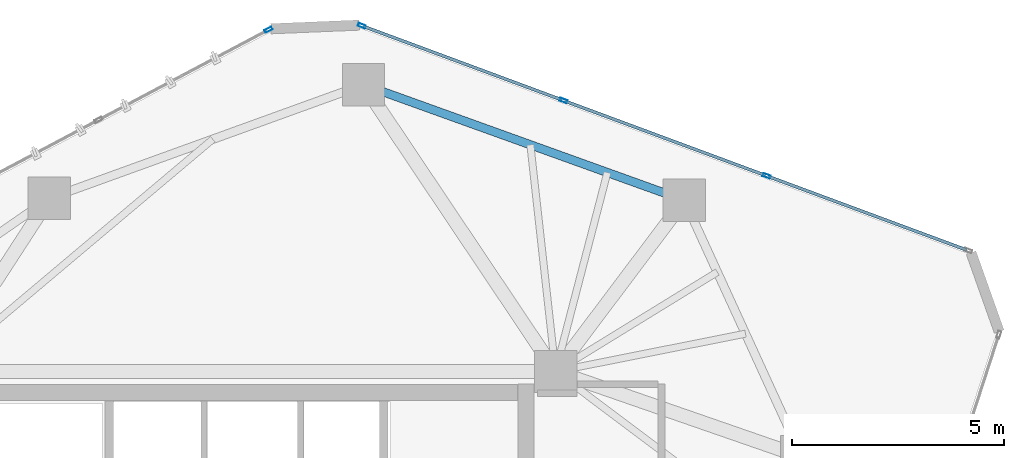
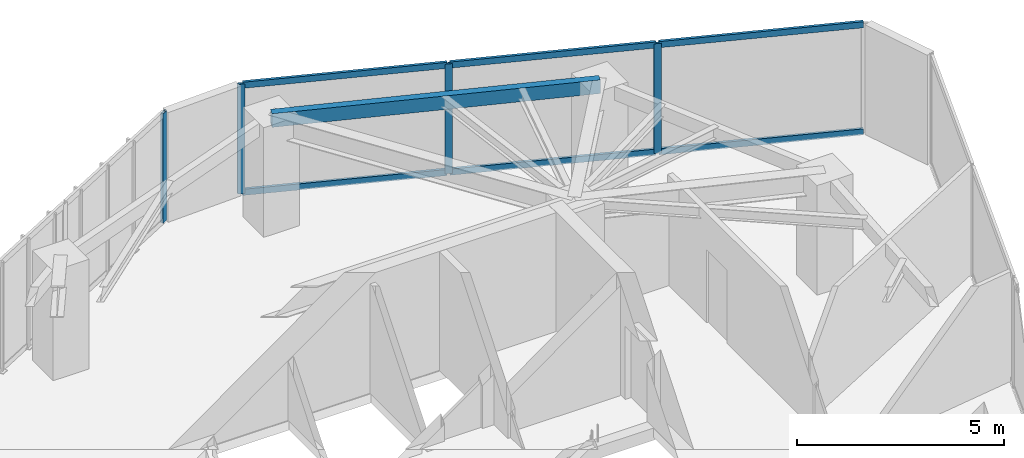
# One storey, part 14 of 19: 10 members, 1 beam, 2 elements without a shape of their own.
"""IFC4 building model written with IfcOpenShell, lengths in metres."""

from ifc_helpers import new_model, si_unit, direction, frame, origin, origin_2d, place, context, subcontext, project, spatial, hollow_rectangle, extrude, source, transform, mapped, material, layer, layer_set, material_profile, profile_set, type_object, type_shapes, element, aggregate, save


model = new_model("IFC4")

# Units and contexts
model_context = context("Model", 3, precision=1e-05, world=origin(), true_north=direction((0.0, 1.0)))
body_context = subcontext(model_context, "Body", "Model", "MODEL_VIEW")
ifc_project = project(units=[si_unit("LENGTHUNIT", "METRE"), si_unit("AREAUNIT", "SQUARE_METRE"), si_unit("VOLUMEUNIT", "CUBIC_METRE"), si_unit("PLANEANGLEUNIT", "RADIAN"), si_unit("MASSUNIT", "GRAM", prefix="KILO")], contexts=[model_context])

# Site, building, storey
site_placement = place(None, origin())
site = spatial("IfcSite", under=ifc_project, at=site_placement, CompositionType="ELEMENT")
building_placement = place(site_placement, origin())
building = spatial("IfcBuilding", under=site, at=building_placement, Name="Talar Marvaseh", CompositionType="ELEMENT")
storey_placement = place(building_placement, frame((0.0, 0.0, 174.0)))
storey = spatial("IfcBuildingStorey", under=building, at=storey_placement, Name="L45", CompositionType="ELEMENT", Elevation=174.0)

# Beam
ifc_material_1 = material(Name="Steel S355", Category="steel")
ifc_material_profile_1 = material_profile(ifc_material_1, hollow_rectangle(XDim=0.199951171875, YDim=0.39990234375, WallThickness=0.013916015625, at=origin_2d()), Name="RHS400x200x14")
ifc_profile_set_1 = profile_set([ifc_material_profile_1], Name="Steel S355")
beam_type = type_object("IfcBeamType", Name="Zone 3 Perimeter Spandrel Beam RHS400x200x14", PredefinedType="SPANDREL", material=ifc_profile_set_1)
beam_placement = place(storey_placement, frame((28.76611328125, 43.66796875, 3.030029296875), z_axis=(0.940923359576, -0.3386195969, 0.0), x_axis=(0.3386195969, 0.940923359576, 0.0)))
element("IfcBeam", 1, at=beam_placement, inside=storey, type_object=beam_type, Name="L45 Zone 3 Perimeter Spandrel Beam RHS400x200x14", PredefinedType="SPANDREL", context=body_context, shape_type="SweptSolid", body=[
    extrude(hollow_rectangle(XDim=0.199951171875, YDim=0.39990234375, WallThickness=0.013916015625, at=origin_2d()), origin(), (0.0, 0.0, 1.0), 8.050537109375),
])

# Curtain wall, member
ifc_material_2 = material(Name="Architectural Aluminium", Category="aluminium")
ifc_layer = layer(ifc_material_2, 0.18994140625)
ifc_layer_set = layer_set([ifc_layer], Name="Architectural Aluminium")
curtain_wall_type = type_object("IfcCurtainWallType", Name="Unitised Solar Atelier Curtain Wall Z3", PredefinedType="NOTDEFINED", material=ifc_layer_set)
curtain_wall_1_placement = place(storey_placement, origin())
curtain_wall_1 = element("IfcCurtainWall", 2, at=curtain_wall_1_placement, inside=storey, type_object=curtain_wall_type, Name="L45 Unitised Solar Atelier Curtain Wall Z3", PredefinedType="NOTDEFINED")
ifc_material_profile_2 = material_profile(ifc_material_2, hollow_rectangle(XDim=0.074951171875, YDim=0.179931640625, WallThickness=0.0048828125, at=origin_2d()), Name="RHS180x75x5")
ifc_profile_set_2 = profile_set([ifc_material_profile_2], Name="Architectural Aluminium")
member_type_1 = type_object("IfcMemberType", Name="Unitised Curtain Wall Standard Mullion RHS180x75x5", PredefinedType="MULLION", material=ifc_profile_set_2)
shared_shape_1 = source(origin(), body_context, "Body", "SweptSolid", [
    extrude(hollow_rectangle(XDim=0.074951171875, YDim=0.179931640625, WallThickness=0.0048828125, at=origin_2d()), origin(), (0.0, 0.0, 1.0), 3.22998046875),
])
type_shapes(member_type_1, [shared_shape_1])
member_1_placement = place(storey_placement, frame((26.52294921875, 44.965087890625, 0.0), z_axis=(0.0, 0.0, 1.0), x_axis=(-0.468426669756, 0.883502379771, 0.0)))
member_1 = element("IfcMember", 3, at=member_1_placement, type_object=member_type_1, Name="CW-Z3 mullion 4", PredefinedType="MULLION", context=body_context, shape_type="MappedRepresentation", body=[
    mapped(shared_shape_1, transform((0.0, 0.0, 0.0), x_axis=(1.0, 0.0, 0.0), y_axis=(0.0, 1.0, 0.0), z_axis=(0.0, 0.0, 1.0), scale=1.0)),
])
aggregate(curtain_wall_1, [member_1])

# Curtain wall, members
curtain_wall_2_placement = place(storey_placement, origin())
curtain_wall_2 = element("IfcCurtainWall", 4, at=curtain_wall_2_placement, inside=storey, type_object=curtain_wall_type, Name="L45 Unitised Solar Atelier Curtain Wall Z3", PredefinedType="NOTDEFINED")
member_2_placement = place(storey_placement, frame((28.72705078125, 45.059326171875, 0.0), z_axis=(0.0, 0.0, 1.0), x_axis=(0.347694610134, 0.937607838109, 0.0)))
member_2 = element("IfcMember", 5, at=member_2_placement, type_object=member_type_1, Name="CW-Z3 mullion 1", PredefinedType="MULLION", context=body_context, shape_type="MappedRepresentation", body=[
    mapped(shared_shape_1, transform((0.0, 0.0, 0.0), x_axis=(1.0, 0.0, 0.0), y_axis=(0.0, 1.0, 0.0), z_axis=(0.0, 0.0, 1.0), scale=1.0)),
])
member_3_placement = place(storey_placement, frame((33.48583984375, 43.294677734375, 0.0), z_axis=(0.0, 0.0, 1.0), x_axis=(0.347694610134, 0.937607838109, 0.0)))
member_3 = element("IfcMember", 6, at=member_3_placement, type_object=member_type_1, Name="CW-Z3 mullion 2", PredefinedType="MULLION", context=body_context, shape_type="MappedRepresentation", body=[
    mapped(shared_shape_1, transform((0.0, 0.0, 0.0), x_axis=(1.0, 0.0, 0.0), y_axis=(0.0, 1.0, 0.0), z_axis=(0.0, 0.0, 1.0), scale=1.0)),
])
member_4_placement = place(storey_placement, frame((38.27978515625, 41.516845703125, 0.0), z_axis=(0.0, 0.0, 1.0), x_axis=(0.347694610134, 0.937607838109, 0.0)))
member_4 = element("IfcMember", 7, at=member_4_placement, type_object=member_type_1, Name="CW-Z3 mullion 3", PredefinedType="MULLION", context=body_context, shape_type="MappedRepresentation", body=[
    mapped(shared_shape_1, transform((0.0, 0.0, 0.0), x_axis=(1.0, 0.0, 0.0), y_axis=(0.0, 1.0, 0.0), z_axis=(0.0, 0.0, 1.0), scale=1.0)),
])
ifc_material_profile_3 = material_profile(ifc_material_2, hollow_rectangle(XDim=0.074951171875, YDim=0.179931640625, WallThickness=0.0048828125, at=origin_2d()), Name="RHS180x75x5")
ifc_profile_set_3 = profile_set([ifc_material_profile_3], Name="Architectural Aluminium")
member_type_2 = type_object("IfcMemberType", Name="Unitised Curtain Wall Transom RHS180x75x5", PredefinedType="USERDEFINED", material=ifc_profile_set_3)
shared_shape_2 = source(origin(), body_context, "Body", "SweptSolid", [
    extrude(hollow_rectangle(XDim=0.074951171875, YDim=0.179931640625, WallThickness=0.0048828125, at=origin_2d()), origin(), (0.0, 0.0, 1.0), 5.0380859375),
])
member_5_placement = place(storey_placement, frame((33.52099609375, 43.281494140625, 0.03759765625), z_axis=(0.937605463657, -0.347701013114, 0.0), x_axis=(0.347701013114, 0.937605463657, 0.0)))
member_5 = element("IfcMember", 8, at=member_5_placement, type_object=member_type_2, Name="CW-Z3 transom 2.1", ObjectType="TRANSOM", PredefinedType="USERDEFINED", context=body_context, shape_type="MappedRepresentation", body=[
    mapped(shared_shape_2, transform((0.0, 0.0, 0.0), x_axis=(1.0, 0.0, 0.0), y_axis=(0.0, 1.0, 0.0), z_axis=(0.0, 0.0, 1.0), scale=1.0)),
])
member_6_placement = place(storey_placement, frame((33.52099609375, 43.281494140625, 3.1923828125), z_axis=(0.937605463657, -0.347701013114, 0.0), x_axis=(0.347701013114, 0.937605463657, 0.0)))
member_6 = element("IfcMember", 9, at=member_6_placement, type_object=member_type_2, Name="CW-Z3 transom 2.2", ObjectType="TRANSOM", PredefinedType="USERDEFINED", context=body_context, shape_type="MappedRepresentation", body=[
    mapped(shared_shape_2, transform((0.0, 0.0, 0.0), x_axis=(1.0, 0.0, 0.0), y_axis=(0.0, 1.0, 0.0), z_axis=(0.0, 0.0, 1.0), scale=1.0)),
])
shared_shape_3 = source(origin(), body_context, "Body", "SweptSolid", [
    extrude(hollow_rectangle(XDim=0.074951171875, YDim=0.179931640625, WallThickness=0.0048828125, at=origin_2d()), origin(), (0.0, 0.0, 1.0), 5.00048828125),
])
type_shapes(member_type_2, [shared_shape_2, shared_shape_3])
member_7_placement = place(storey_placement, frame((28.76220703125, 45.04638671875, 0.03759765625), z_axis=(0.93759908302, -0.347718218562, 0.0), x_axis=(0.347718218562, 0.93759908302, 0.0)))
member_7 = element("IfcMember", 10, at=member_7_placement, type_object=member_type_2, Name="CW-Z3 transom 1.1", ObjectType="TRANSOM", PredefinedType="USERDEFINED", context=body_context, shape_type="MappedRepresentation", body=[
    mapped(shared_shape_3, transform((0.0, 0.0, 0.0), x_axis=(1.0, 0.0, 0.0), y_axis=(0.0, 1.0, 0.0), z_axis=(0.0, 0.0, 1.0), scale=1.0)),
])
member_8_placement = place(storey_placement, frame((28.76220703125, 45.04638671875, 3.1923828125), z_axis=(0.93759908302, -0.347718218562, 0.0), x_axis=(0.347718218562, 0.93759908302, 0.0)))
member_8 = element("IfcMember", 11, at=member_8_placement, type_object=member_type_2, Name="CW-Z3 transom 1.2", ObjectType="TRANSOM", PredefinedType="USERDEFINED", context=body_context, shape_type="MappedRepresentation", body=[
    mapped(shared_shape_3, transform((0.0, 0.0, 0.0), x_axis=(1.0, 0.0, 0.0), y_axis=(0.0, 1.0, 0.0), z_axis=(0.0, 0.0, 1.0), scale=1.0)),
])
member_9_placement = place(storey_placement, frame((38.31494140625, 41.50390625, 0.03759765625), z_axis=(0.93759908302, -0.347718218562, 0.0), x_axis=(0.347718218562, 0.93759908302, 0.0)))
member_9 = element("IfcMember", 12, at=member_9_placement, type_object=member_type_2, Name="CW-Z3 transom 3.1", ObjectType="TRANSOM", PredefinedType="USERDEFINED", context=body_context, shape_type="MappedRepresentation", body=[
    mapped(shared_shape_3, transform((0.0, 0.0, 0.0), x_axis=(1.0, 0.0, 0.0), y_axis=(0.0, 1.0, 0.0), z_axis=(0.0, 0.0, 1.0), scale=1.0)),
])
member_10_placement = place(storey_placement, frame((38.31494140625, 41.50390625, 3.1923828125), z_axis=(0.93759908302, -0.347718218562, 0.0), x_axis=(0.347718218562, 0.93759908302, 0.0)))
member_10 = element("IfcMember", 13, at=member_10_placement, type_object=member_type_2, Name="CW-Z3 transom 3.2", ObjectType="TRANSOM", PredefinedType="USERDEFINED", context=body_context, shape_type="MappedRepresentation", body=[
    mapped(shared_shape_3, transform((0.0, 0.0, 0.0), x_axis=(1.0, 0.0, 0.0), y_axis=(0.0, 1.0, 0.0), z_axis=(0.0, 0.0, 1.0), scale=1.0)),
])
aggregate(curtain_wall_2, [member_2, member_3, member_4, member_7, member_8, member_5, member_6, member_9, member_10])

save(model, "model.ifc")
